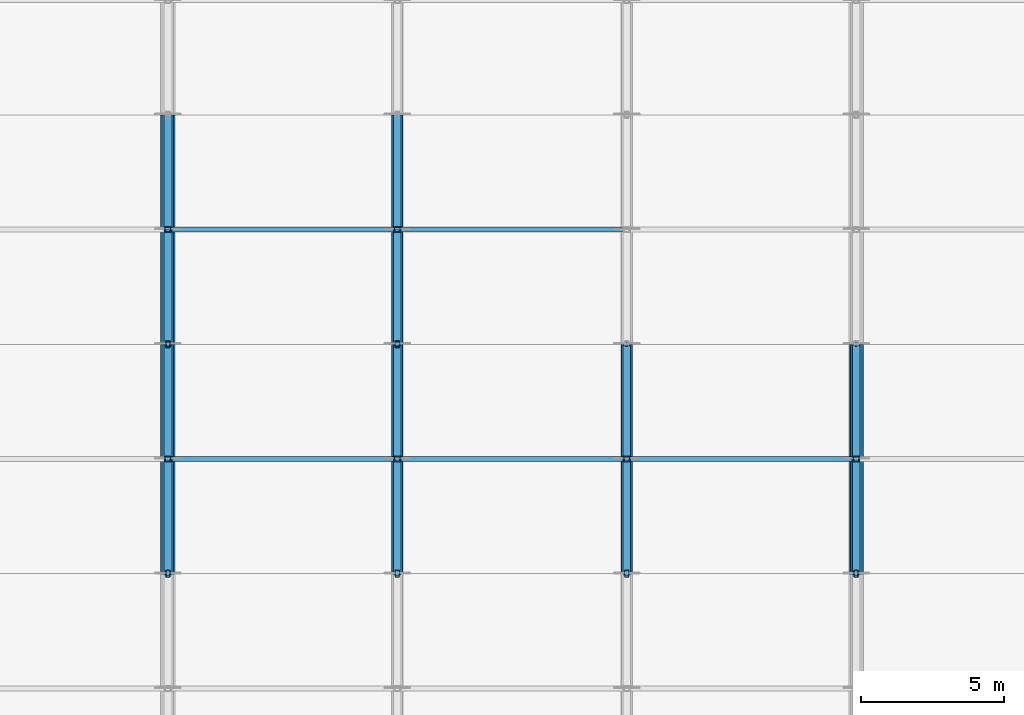
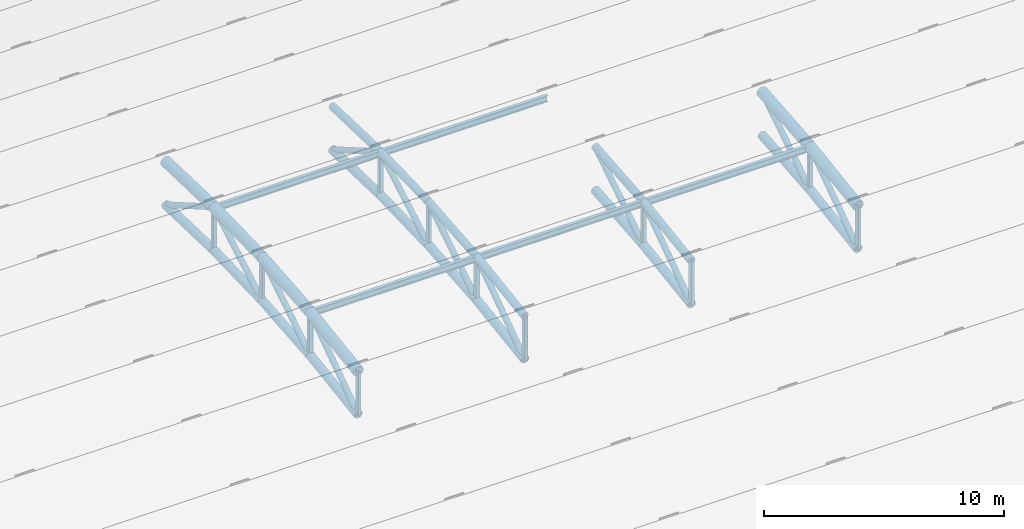
# One storey, part 29 of 98: 53 members.
"""IFC4 building model written with IfcOpenShell, lengths in metres."""

from ifc_helpers import new_model, si_unit, direction, frame, origin, origin_2d, place, context, subcontext, project, spatial, hollow_rectangle, hollow_circle, i_section, extrude, material, material_profile, profile_set, type_object, element, save


model = new_model("IFC4")

# Units and contexts
model_context = context("Model", 3, precision=1e-05, world=origin(), true_north=direction((0.0, 1.0)))
body_context = subcontext(model_context, "Body", "Model", "MODEL_VIEW")
ifc_project = project(units=[si_unit("LENGTHUNIT", "METRE"), si_unit("AREAUNIT", "SQUARE_METRE"), si_unit("VOLUMEUNIT", "CUBIC_METRE"), si_unit("PLANEANGLEUNIT", "RADIAN"), si_unit("MASSUNIT", "GRAM", prefix="KILO")], contexts=[model_context])

# Site, building, storey
site_placement = place(None, origin())
site = spatial("IfcSite", under=ifc_project, at=site_placement, CompositionType="ELEMENT")
building_placement = place(site_placement, origin())
building = spatial("IfcBuilding", under=site, at=building_placement, Name="Tlacozan Convention Centre", CompositionType="ELEMENT")
storey_placement = place(building_placement, frame((0.0, 0.0, 25.800048828125)))
storey = spatial("IfcBuildingStorey", under=building, at=storey_placement, Name="Roof", CompositionType="ELEMENT", Elevation=25.800048828125)

# Members
ifc_material_1 = material(Name="Steel ASTM A500 Grade C", Category="steel")
ifc_material_profile_1 = material_profile(ifc_material_1, hollow_circle(Radius=0.203125, WallThickness=0.015869140625, at=origin_2d()), Name="OC 406.4x15.9")
ifc_profile_set_1 = profile_set([ifc_material_profile_1], Name="Steel ASTM A500 Grade C")
member_type_1 = type_object("IfcMemberType", Name="Arch Bottom Chord OC 406.4x15.9", PredefinedType="CHORD", material=ifc_profile_set_1)
member_1_placement = place(storey_placement, frame((96.0, 82.0, -5.8671875), z_axis=(0.0, 0.98911804631, 0.147124064872), x_axis=(-1.0, 0.0, 0.0)))
element("IfcMember", 1, at=member_1_placement, inside=storey, type_object=member_type_1, Name="V2A Roof Truss 13 Bottom Chord 6", PredefinedType="CHORD", context=body_context, shape_type="SweptSolid", body=[
    extrude(hollow_circle(Radius=0.203125, WallThickness=0.015869140625, at=origin_2d()), origin(), (0.0, 0.0, 1.0), 4.0439453125),
])
member_2_placement = place(storey_placement, frame((96.0, 86.0, -5.272216796875), z_axis=(0.0, 0.996095959668, 0.088277058926), x_axis=(-1.0, 0.0, 0.0)))
element("IfcMember", 2, at=member_2_placement, inside=storey, type_object=member_type_1, Name="V2A Roof Truss 13 Bottom Chord 7", PredefinedType="CHORD", context=body_context, shape_type="SweptSolid", body=[
    extrude(hollow_circle(Radius=0.203125, WallThickness=0.015869140625, at=origin_2d()), origin(), (0.0, 0.0, 1.0), 4.015625),
])
for number, where, z_axis, x_axis, name in (
    (3, (96.0, 90.0, -4.917724609375), (0.0, 0.999567543518, 0.029406222899), (-1.0, 0.0, 0.0), "V2A Roof Truss 13 Bottom Chord 8"),
    (4, (96.0, 94.0, -4.800048828125), (0.0, 0.999567543518, -0.029406222899), (-1.0, 0.0, 0.0), "V2A Roof Truss 13 Bottom Chord 9"),
):
    element("IfcMember", number, at=place(storey_placement, frame(where, z_axis=z_axis, x_axis=x_axis)), inside=storey, type_object=member_type_1, Name=name, PredefinedType="CHORD", context=body_context, shape_type="SweptSolid", body=[
        extrude(hollow_circle(Radius=0.203125, WallThickness=0.015869140625, at=origin_2d()), origin(), (0.0, 0.0, 1.0), 4.001708984375),
    ])
member_3_placement = place(storey_placement, frame((104.0, 82.0, -5.8671875), z_axis=(0.0, 0.98911804631, 0.147124064872), x_axis=(-1.0, 0.0, 0.0)))
element("IfcMember", 5, at=member_3_placement, inside=storey, type_object=member_type_1, Name="V2A Roof Truss 14 Bottom Chord 6", PredefinedType="CHORD", context=body_context, shape_type="SweptSolid", body=[
    extrude(hollow_circle(Radius=0.203125, WallThickness=0.015869140625, at=origin_2d()), origin(), (0.0, 0.0, 1.0), 4.0439453125),
])
member_4_placement = place(storey_placement, frame((104.0, 86.0, -5.272216796875), z_axis=(0.0, 0.996095959668, 0.088277058926), x_axis=(-1.0, 0.0, 0.0)))
element("IfcMember", 6, at=member_4_placement, inside=storey, type_object=member_type_1, Name="V2A Roof Truss 14 Bottom Chord 7", PredefinedType="CHORD", context=body_context, shape_type="SweptSolid", body=[
    extrude(hollow_circle(Radius=0.203125, WallThickness=0.015869140625, at=origin_2d()), origin(), (0.0, 0.0, 1.0), 4.015625),
])
for number, where, z_axis, x_axis, name in (
    (7, (104.0, 90.0, -4.917724609375), (0.0, 0.999567543518, 0.029406222899), (-1.0, 0.0, 0.0), "V2A Roof Truss 14 Bottom Chord 8"),
    (8, (104.0, 94.0, -4.800048828125), (0.0, 0.999567543518, -0.029406222899), (-1.0, 0.0, 0.0), "V2A Roof Truss 14 Bottom Chord 9"),
):
    element("IfcMember", number, at=place(storey_placement, frame(where, z_axis=z_axis, x_axis=x_axis)), inside=storey, type_object=member_type_1, Name=name, PredefinedType="CHORD", context=body_context, shape_type="SweptSolid", body=[
        extrude(hollow_circle(Radius=0.203125, WallThickness=0.015869140625, at=origin_2d()), origin(), (0.0, 0.0, 1.0), 4.001708984375),
    ])
member_5_placement = place(storey_placement, frame((112.0, 82.0, -5.8671875), z_axis=(0.0, 0.98911804631, 0.147124064872), x_axis=(-1.0, 0.0, 0.0)))
element("IfcMember", 9, at=member_5_placement, inside=storey, type_object=member_type_1, Name="V2A Roof Truss 15 Bottom Chord 6", PredefinedType="CHORD", context=body_context, shape_type="SweptSolid", body=[
    extrude(hollow_circle(Radius=0.203125, WallThickness=0.015869140625, at=origin_2d()), origin(), (0.0, 0.0, 1.0), 4.0439453125),
])
member_6_placement = place(storey_placement, frame((112.0, 86.0, -5.272216796875), z_axis=(0.0, 0.996095959668, 0.088277058926), x_axis=(-1.0, 0.0, 0.0)))
element("IfcMember", 10, at=member_6_placement, inside=storey, type_object=member_type_1, Name="V2A Roof Truss 15 Bottom Chord 7", PredefinedType="CHORD", context=body_context, shape_type="SweptSolid", body=[
    extrude(hollow_circle(Radius=0.203125, WallThickness=0.015869140625, at=origin_2d()), origin(), (0.0, 0.0, 1.0), 4.015625),
])
member_7_placement = place(storey_placement, frame((120.0, 82.0, -5.8671875), z_axis=(0.0, 0.98911804631, 0.147124064872), x_axis=(-1.0, 0.0, 0.0)))
element("IfcMember", 11, at=member_7_placement, inside=storey, type_object=member_type_1, Name="V2A Roof Truss 16 Bottom Chord 6", PredefinedType="CHORD", context=body_context, shape_type="SweptSolid", body=[
    extrude(hollow_circle(Radius=0.203125, WallThickness=0.015869140625, at=origin_2d()), origin(), (0.0, 0.0, 1.0), 4.0439453125),
])
member_8_placement = place(storey_placement, frame((120.0, 86.0, -5.272216796875), z_axis=(0.0, 0.996095959668, 0.088277058926), x_axis=(-1.0, 0.0, 0.0)))
element("IfcMember", 12, at=member_8_placement, inside=storey, type_object=member_type_1, Name="V2A Roof Truss 16 Bottom Chord 7", PredefinedType="CHORD", context=body_context, shape_type="SweptSolid", body=[
    extrude(hollow_circle(Radius=0.203125, WallThickness=0.015869140625, at=origin_2d()), origin(), (0.0, 0.0, 1.0), 4.015625),
])
ifc_material_profile_2 = material_profile(ifc_material_1, hollow_circle(Radius=0.25390625, WallThickness=0.01904296875, at=origin_2d()), Name="OC 508.0x19.1")
ifc_profile_set_2 = profile_set([ifc_material_profile_2], Name="Steel ASTM A500 Grade C")
member_type_2 = type_object("IfcMemberType", Name="Arch Top Chord OC 508x19.1", PredefinedType="CHORD", material=ifc_profile_set_2)
member_9_placement = place(storey_placement, frame((96.0, 82.0, -3.667236328125), z_axis=(0.0, 0.98911804631, 0.147124064872), x_axis=(-1.0, 0.0, 0.0)))
element("IfcMember", 13, at=member_9_placement, inside=storey, type_object=member_type_2, Name="V2A Roof Truss 13 Top Chord 6", PredefinedType="CHORD", context=body_context, shape_type="SweptSolid", body=[
    extrude(hollow_circle(Radius=0.25390625, WallThickness=0.01904296875, at=origin_2d()), origin(), (0.0, 0.0, 1.0), 4.0439453125),
])
member_10_placement = place(storey_placement, frame((96.0, 86.0, -3.072265625), z_axis=(0.0, 0.996095959668, 0.088277058926), x_axis=(-1.0, 0.0, 0.0)))
element("IfcMember", 14, at=member_10_placement, inside=storey, type_object=member_type_2, Name="V2A Roof Truss 13 Top Chord 7", PredefinedType="CHORD", context=body_context, shape_type="SweptSolid", body=[
    extrude(hollow_circle(Radius=0.25390625, WallThickness=0.01904296875, at=origin_2d()), origin(), (0.0, 0.0, 1.0), 4.015625),
])
for number, where, z_axis, x_axis, name in (
    (15, (96.0, 90.0, -2.7177734375), (0.0, 0.999567543518, 0.029406222899), (-1.0, 0.0, 0.0), "V2A Roof Truss 13 Top Chord 8"),
    (16, (96.0, 94.0, -2.60009765625), (0.0, 0.999567543518, -0.029406222899), (-1.0, 0.0, 0.0), "V2A Roof Truss 13 Top Chord 9"),
):
    element("IfcMember", number, at=place(storey_placement, frame(where, z_axis=z_axis, x_axis=x_axis)), inside=storey, type_object=member_type_2, Name=name, PredefinedType="CHORD", context=body_context, shape_type="SweptSolid", body=[
        extrude(hollow_circle(Radius=0.25390625, WallThickness=0.01904296875, at=origin_2d()), origin(), (0.0, 0.0, 1.0), 4.001708984375),
    ])
member_11_placement = place(storey_placement, frame((120.0, 82.0, -3.667236328125), z_axis=(0.0, 0.98911804631, 0.147124064872), x_axis=(-1.0, 0.0, 0.0)))
element("IfcMember", 17, at=member_11_placement, inside=storey, type_object=member_type_2, Name="V2A Roof Truss 16 Top Chord 6", PredefinedType="CHORD", context=body_context, shape_type="SweptSolid", body=[
    extrude(hollow_circle(Radius=0.25390625, WallThickness=0.01904296875, at=origin_2d()), origin(), (0.0, 0.0, 1.0), 4.0439453125),
])
member_12_placement = place(storey_placement, frame((120.0, 86.0, -3.072265625), z_axis=(0.0, 0.996095959668, 0.088277058926), x_axis=(-1.0, 0.0, 0.0)))
element("IfcMember", 18, at=member_12_placement, inside=storey, type_object=member_type_2, Name="V2A Roof Truss 16 Top Chord 7", PredefinedType="CHORD", context=body_context, shape_type="SweptSolid", body=[
    extrude(hollow_circle(Radius=0.25390625, WallThickness=0.01904296875, at=origin_2d()), origin(), (0.0, 0.0, 1.0), 4.015625),
])
ifc_material_profile_3 = material_profile(ifc_material_1, hollow_circle(Radius=0.136474609375, WallThickness=0.0126953125, at=origin_2d()), Name="OC 273.1x12.7")
ifc_profile_set_3 = profile_set([ifc_material_profile_3], Name="Steel ASTM A500 Grade C")
member_type_3 = type_object("IfcMemberType", Name="Arch Web Diagonal OC 273.1x12.7", PredefinedType="BRACE", material=ifc_profile_set_3)
member_13_placement = place(storey_placement, frame((96.0, 82.0, -5.8671875), z_axis=(0.0, 0.819720523855, 0.572763705877), x_axis=(-1.0, 0.0, 0.0)))
element("IfcMember", 19, at=member_13_placement, inside=storey, type_object=member_type_3, Name="V2A Roof Truss 13 Web Diagonal 6", PredefinedType="BRACE", context=body_context, shape_type="SweptSolid", body=[
    extrude(hollow_circle(Radius=0.136474609375, WallThickness=0.0126953125, at=origin_2d()), origin(), (0.0, 0.0, 1.0), 4.879638671875),
])
member_14_placement = place(storey_placement, frame((96.0, 86.0, -5.272216796875), z_axis=(0.0, 0.842802563321, 0.538222852785), x_axis=(-1.0, 0.0, 0.0)))
element("IfcMember", 20, at=member_14_placement, inside=storey, type_object=member_type_3, Name="V2A Roof Truss 13 Web Diagonal 7", PredefinedType="BRACE", context=body_context, shape_type="SweptSolid", body=[
    extrude(hollow_circle(Radius=0.136474609375, WallThickness=0.0126953125, at=origin_2d()), origin(), (0.0, 0.0, 1.0), 4.74609375),
])
for number, where, z_axis, x_axis, name in (
    (21, (96.0, 90.0, -4.917724609375), (0.0, 0.865253886656, 0.501333932252), (-1.0, 0.0, 0.0), "V2A Roof Truss 13 Web Diagonal 8"),
    (22, (96.0, 94.0, -2.60009765625), (0.0, 0.865253886656, -0.501333932252), (-1.0, 0.0, 0.0), "V2A Roof Truss 13 Web Diagonal 9"),
):
    element("IfcMember", number, at=place(storey_placement, frame(where, z_axis=z_axis, x_axis=x_axis)), inside=storey, type_object=member_type_3, Name=name, PredefinedType="BRACE", context=body_context, shape_type="SweptSolid", body=[
        extrude(hollow_circle(Radius=0.136474609375, WallThickness=0.0126953125, at=origin_2d()), origin(), (0.0, 0.0, 1.0), 4.622802734375),
    ])
member_15_placement = place(storey_placement, frame((104.0, 82.0, -5.8671875), z_axis=(0.0, 0.819720523855, 0.572763705877), x_axis=(-1.0, 0.0, 0.0)))
element("IfcMember", 23, at=member_15_placement, inside=storey, type_object=member_type_3, Name="V2A Roof Truss 14 Web Diagonal 6", PredefinedType="BRACE", context=body_context, shape_type="SweptSolid", body=[
    extrude(hollow_circle(Radius=0.136474609375, WallThickness=0.0126953125, at=origin_2d()), origin(), (0.0, 0.0, 1.0), 4.879638671875),
])
member_16_placement = place(storey_placement, frame((104.0, 86.0, -5.272216796875), z_axis=(0.0, 0.842802563321, 0.538222852785), x_axis=(-1.0, 0.0, 0.0)))
element("IfcMember", 24, at=member_16_placement, inside=storey, type_object=member_type_3, Name="V2A Roof Truss 14 Web Diagonal 7", PredefinedType="BRACE", context=body_context, shape_type="SweptSolid", body=[
    extrude(hollow_circle(Radius=0.136474609375, WallThickness=0.0126953125, at=origin_2d()), origin(), (0.0, 0.0, 1.0), 4.74609375),
])
for number, where, z_axis, x_axis, name in (
    (25, (104.0, 90.0, -4.917724609375), (0.0, 0.865253886656, 0.501333932252), (-1.0, 0.0, 0.0), "V2A Roof Truss 14 Web Diagonal 8"),
    (26, (104.0, 94.0, -2.60009765625), (0.0, 0.865253886656, -0.501333932252), (-1.0, 0.0, 0.0), "V2A Roof Truss 14 Web Diagonal 9"),
):
    element("IfcMember", number, at=place(storey_placement, frame(where, z_axis=z_axis, x_axis=x_axis)), inside=storey, type_object=member_type_3, Name=name, PredefinedType="BRACE", context=body_context, shape_type="SweptSolid", body=[
        extrude(hollow_circle(Radius=0.136474609375, WallThickness=0.0126953125, at=origin_2d()), origin(), (0.0, 0.0, 1.0), 4.622802734375),
    ])
member_17_placement = place(storey_placement, frame((112.0, 82.0, -5.8671875), z_axis=(0.0, 0.819720523855, 0.572763705877), x_axis=(-1.0, 0.0, 0.0)))
element("IfcMember", 27, at=member_17_placement, inside=storey, type_object=member_type_3, Name="V2A Roof Truss 15 Web Diagonal 6", PredefinedType="BRACE", context=body_context, shape_type="SweptSolid", body=[
    extrude(hollow_circle(Radius=0.136474609375, WallThickness=0.0126953125, at=origin_2d()), origin(), (0.0, 0.0, 1.0), 4.879638671875),
])
member_18_placement = place(storey_placement, frame((112.0, 86.0, -5.272216796875), z_axis=(0.0, 0.842802563321, 0.538222852785), x_axis=(-1.0, 0.0, 0.0)))
element("IfcMember", 28, at=member_18_placement, inside=storey, type_object=member_type_3, Name="V2A Roof Truss 15 Web Diagonal 7", PredefinedType="BRACE", context=body_context, shape_type="SweptSolid", body=[
    extrude(hollow_circle(Radius=0.136474609375, WallThickness=0.0126953125, at=origin_2d()), origin(), (0.0, 0.0, 1.0), 4.74609375),
])
member_19_placement = place(storey_placement, frame((120.0, 82.0, -5.8671875), z_axis=(0.0, 0.819720523855, 0.572763705877), x_axis=(-1.0, 0.0, 0.0)))
element("IfcMember", 29, at=member_19_placement, inside=storey, type_object=member_type_3, Name="V2A Roof Truss 16 Web Diagonal 6", PredefinedType="BRACE", context=body_context, shape_type="SweptSolid", body=[
    extrude(hollow_circle(Radius=0.136474609375, WallThickness=0.0126953125, at=origin_2d()), origin(), (0.0, 0.0, 1.0), 4.879638671875),
])
member_20_placement = place(storey_placement, frame((120.0, 86.0, -5.272216796875), z_axis=(0.0, 0.842802563321, 0.538222852785), x_axis=(-1.0, 0.0, 0.0)))
element("IfcMember", 30, at=member_20_placement, inside=storey, type_object=member_type_3, Name="V2A Roof Truss 16 Web Diagonal 7", PredefinedType="BRACE", context=body_context, shape_type="SweptSolid", body=[
    extrude(hollow_circle(Radius=0.136474609375, WallThickness=0.0126953125, at=origin_2d()), origin(), (0.0, 0.0, 1.0), 4.74609375),
])
ifc_material_profile_4 = material_profile(ifc_material_1, hollow_rectangle(XDim=0.203125, YDim=0.203125, WallThickness=0.0126953125, InnerFilletRadius=0.0126953125, OuterFilletRadius=0.02490234375, at=origin_2d()), Name="OR 203x203x12.7")
ifc_profile_set_4 = profile_set([ifc_material_profile_4], Name="Steel ASTM A500 Grade C")
member_type_4 = type_object("IfcMemberType", Name="Arch Web Strut OR 203x203x12.7", PredefinedType="STRUT", material=ifc_profile_set_4)
for number, where, z_axis, x_axis, name in (
    (31, (96.0, 86.0, -5.272216796875), (0.0, 0.0, 1.0), (1.0, 0.0, 0.0), "V2A Roof Truss 13 Vertical Strut 7"),
    (32, (96.0, 94.0, -4.800048828125), (0.0, 0.0, 1.0), (1.0, 0.0, 0.0), "V2A Roof Truss 13 Vertical Strut 9"),
    (33, (104.0, 86.0, -5.272216796875), (0.0, 0.0, 1.0), (1.0, 0.0, 0.0), "V2A Roof Truss 14 Vertical Strut 7"),
    (34, (104.0, 94.0, -4.800048828125), (0.0, 0.0, 1.0), (1.0, 0.0, 0.0), "V2A Roof Truss 14 Vertical Strut 9"),
    (35, (112.0, 86.0, -5.272216796875), (0.0, 0.0, 1.0), (1.0, 0.0, 0.0), "V2A Roof Truss 15 Vertical Strut 7"),
    (36, (120.0, 86.0, -5.272216796875), (0.0, 0.0, 1.0), (1.0, 0.0, 0.0), "V2A Roof Truss 16 Vertical Strut 7"),
):
    element("IfcMember", number, at=place(storey_placement, frame(where, z_axis=z_axis, x_axis=x_axis)), inside=storey, type_object=member_type_4, Name=name, PredefinedType="STRUT", context=body_context, shape_type="SweptSolid", body=[
        extrude(hollow_rectangle(XDim=0.203125, YDim=0.203125, WallThickness=0.0126953125, InnerFilletRadius=0.0126953125, OuterFilletRadius=0.02490234375, at=origin_2d()), origin(), (0.0, 0.0, 1.0), 2.199951171875),
    ])
ifc_material_2 = material(Name="Steel ASTM A992 Grade 50", Category="steel")
ifc_material_profile_5 = material_profile(ifc_material_2, i_section(OverallWidth=0.1669921875, OverallDepth=0.31689453125, WebThickness=0.007568359375, FlangeThickness=0.01318359375, FilletRadius=0.010009765625, at=origin_2d()), Name="IR 305x52.2")
ifc_profile_set_5 = profile_set([ifc_material_profile_5], Name="Steel ASTM A992 Grade 50")
member_type_5 = type_object("IfcMemberType", Name="Roof Purlin IR 305x52.2", PredefinedType="PURLIN", material=ifc_profile_set_5)
for number, where, z_axis, x_axis, name in (
    (37, (96.0, 86.0, -3.13720703125), (1.0, 0.0, 0.0), (0.0, 1.0, 0.0), "V2A Roof Truss Purlin 13.7"),
    (38, (96.0, 94.0, -2.6650390625), (1.0, 0.0, 0.0), (0.0, 1.0, 0.0), "V2A Roof Truss Purlin 13.9"),
    (39, (104.0, 86.0, -3.13720703125), (1.0, 0.0, 0.0), (0.0, 1.0, 0.0), "V2A Roof Truss Purlin 14.7"),
    (40, (104.0, 94.0, -2.6650390625), (1.0, 0.0, 0.0), (0.0, 1.0, 0.0), "V2A Roof Truss Purlin 14.9"),
    (41, (112.0, 86.0, -3.13720703125), (1.0, 0.0, 0.0), (0.0, 1.0, 0.0), "V2A Roof Truss Purlin 15.7"),
):
    element("IfcMember", number, at=place(storey_placement, frame(where, z_axis=z_axis, x_axis=x_axis)), inside=storey, type_object=member_type_5, Name=name, PredefinedType="PURLIN", context=body_context, shape_type="SweptSolid", body=[
        extrude(i_section(OverallWidth=0.1669921875, OverallDepth=0.31689453125, WebThickness=0.007568359375, FlangeThickness=0.01318359375, FilletRadius=0.010009765625, at=origin_2d()), origin(), (0.0, 0.0, 1.0), 8.0),
    ])
ifc_material_profile_6 = material_profile(ifc_material_1, hollow_circle(Radius=0.177734375, WallThickness=0.015869140625, at=origin_2d()), Name="OC 355.6x15.9")
ifc_profile_set_6 = profile_set([ifc_material_profile_6], Name="Steel ASTM A500 Grade C")
member_type_6 = type_object("IfcMemberType", Name="Secondary Arch Chord OC 355.6x15.9", PredefinedType="CHORD", material=ifc_profile_set_6)
member_21_placement = place(storey_placement, frame((104.0, 82.0, -3.667236328125), z_axis=(0.0, 0.98911804631, 0.147124064872), x_axis=(-1.0, 0.0, 0.0)))
element("IfcMember", 42, at=member_21_placement, inside=storey, type_object=member_type_6, Name="V2A Roof Truss 14 Top Chord 6", PredefinedType="CHORD", context=body_context, shape_type="SweptSolid", body=[
    extrude(hollow_circle(Radius=0.177734375, WallThickness=0.015869140625, at=origin_2d()), origin(), (0.0, 0.0, 1.0), 4.0439453125),
])
member_22_placement = place(storey_placement, frame((104.0, 86.0, -3.072265625), z_axis=(0.0, 0.996095959668, 0.088277058926), x_axis=(-1.0, 0.0, 0.0)))
element("IfcMember", 43, at=member_22_placement, inside=storey, type_object=member_type_6, Name="V2A Roof Truss 14 Top Chord 7", PredefinedType="CHORD", context=body_context, shape_type="SweptSolid", body=[
    extrude(hollow_circle(Radius=0.177734375, WallThickness=0.015869140625, at=origin_2d()), origin(), (0.0, 0.0, 1.0), 4.015625),
])
for number, where, z_axis, x_axis, name in (
    (44, (104.0, 90.0, -2.7177734375), (0.0, 0.999567543518, 0.029406222899), (-1.0, 0.0, 0.0), "V2A Roof Truss 14 Top Chord 8"),
    (45, (104.0, 94.0, -2.60009765625), (0.0, 0.999567543518, -0.029406222899), (-1.0, 0.0, 0.0), "V2A Roof Truss 14 Top Chord 9"),
):
    element("IfcMember", number, at=place(storey_placement, frame(where, z_axis=z_axis, x_axis=x_axis)), inside=storey, type_object=member_type_6, Name=name, PredefinedType="CHORD", context=body_context, shape_type="SweptSolid", body=[
        extrude(hollow_circle(Radius=0.177734375, WallThickness=0.015869140625, at=origin_2d()), origin(), (0.0, 0.0, 1.0), 4.001708984375),
    ])
member_23_placement = place(storey_placement, frame((112.0, 82.0, -3.667236328125), z_axis=(0.0, 0.98911804631, 0.147124064872), x_axis=(-1.0, 0.0, 0.0)))
element("IfcMember", 46, at=member_23_placement, inside=storey, type_object=member_type_6, Name="V2A Roof Truss 15 Top Chord 6", PredefinedType="CHORD", context=body_context, shape_type="SweptSolid", body=[
    extrude(hollow_circle(Radius=0.177734375, WallThickness=0.015869140625, at=origin_2d()), origin(), (0.0, 0.0, 1.0), 4.0439453125),
])
member_24_placement = place(storey_placement, frame((112.0, 86.0, -3.072265625), z_axis=(0.0, 0.996095959668, 0.088277058926), x_axis=(-1.0, 0.0, 0.0)))
element("IfcMember", 47, at=member_24_placement, inside=storey, type_object=member_type_6, Name="V2A Roof Truss 15 Top Chord 7", PredefinedType="CHORD", context=body_context, shape_type="SweptSolid", body=[
    extrude(hollow_circle(Radius=0.177734375, WallThickness=0.015869140625, at=origin_2d()), origin(), (0.0, 0.0, 1.0), 4.015625),
])
ifc_material_profile_7 = material_profile(ifc_material_1, hollow_rectangle(XDim=0.15234375, YDim=0.25390625, WallThickness=0.0126953125, InnerFilletRadius=0.0126953125, OuterFilletRadius=0.02490234375, at=origin_2d()), Name="OR 254x152x12.7")
ifc_profile_set_7 = profile_set([ifc_material_profile_7], Name="Steel ASTM A500 Grade C")
member_type_7 = type_object("IfcMemberType", Name="Truss Secondary Strut OR 254x152x12.7", PredefinedType="STRUT", material=ifc_profile_set_7)
for number, where, z_axis, x_axis, name in (
    (48, (96.0, 82.0, -5.8671875), (0.0, 0.0, 1.0), (1.0, 0.0, 0.0), "V2A Roof Truss 13 Vertical Strut 6"),
    (49, (96.0, 90.0, -4.917724609375), (0.0, 0.0, 1.0), (1.0, 0.0, 0.0), "V2A Roof Truss 13 Vertical Strut 8"),
    (50, (104.0, 82.0, -5.8671875), (0.0, 0.0, 1.0), (1.0, 0.0, 0.0), "V2A Roof Truss 14 Vertical Strut 6"),
    (51, (104.0, 90.0, -4.917724609375), (0.0, 0.0, 1.0), (1.0, 0.0, 0.0), "V2A Roof Truss 14 Vertical Strut 8"),
    (52, (112.0, 82.0, -5.8671875), (0.0, 0.0, 1.0), (1.0, 0.0, 0.0), "V2A Roof Truss 15 Vertical Strut 6"),
    (53, (120.0, 82.0, -5.8671875), (0.0, 0.0, 1.0), (1.0, 0.0, 0.0), "V2A Roof Truss 16 Vertical Strut 6"),
):
    element("IfcMember", number, at=place(storey_placement, frame(where, z_axis=z_axis, x_axis=x_axis)), inside=storey, type_object=member_type_7, Name=name, PredefinedType="STRUT", context=body_context, shape_type="SweptSolid", body=[
        extrude(hollow_rectangle(XDim=0.15234375, YDim=0.25390625, WallThickness=0.0126953125, InnerFilletRadius=0.0126953125, OuterFilletRadius=0.02490234375, at=origin_2d()), origin(), (0.0, 0.0, 1.0), 2.199951171875),
    ])

save(model, "model.ifc")
